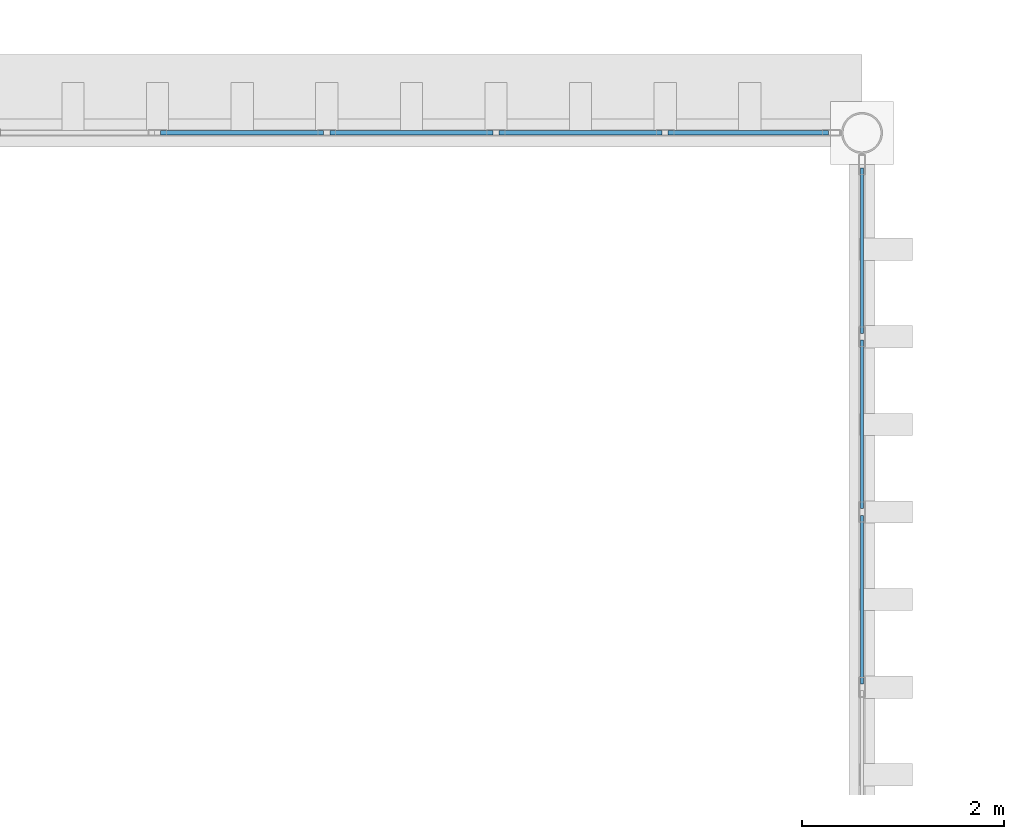
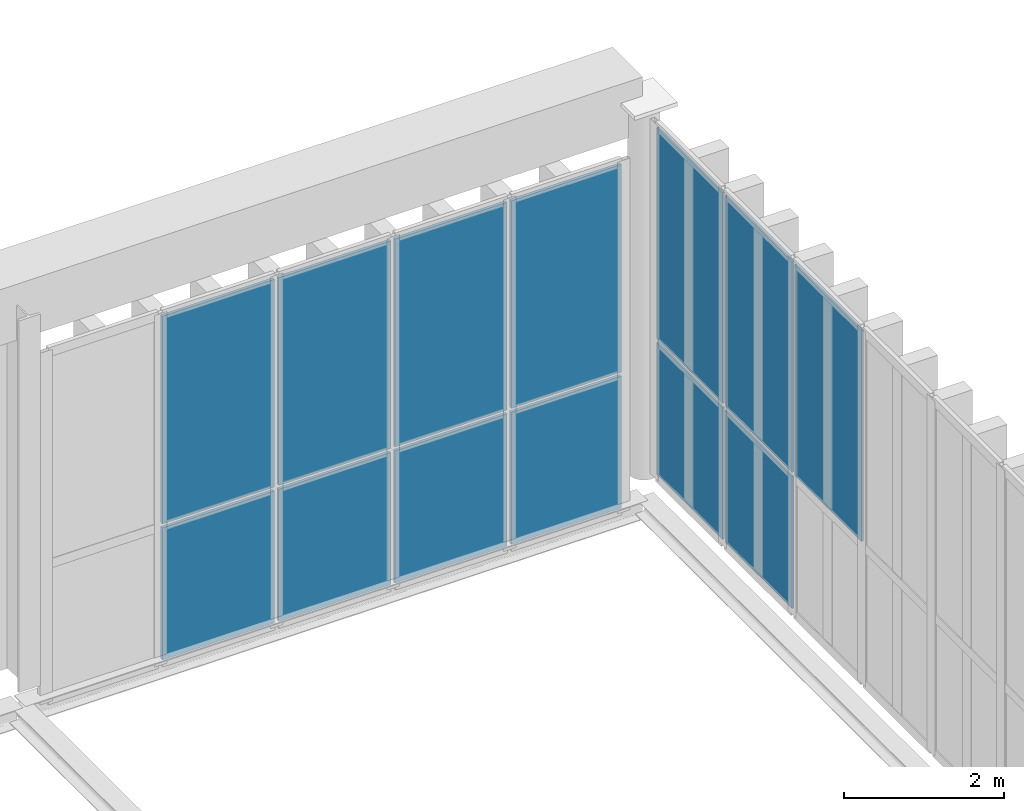
# One storey, part 198 of 237: 13 plates, 2 elements without a shape of their own.
"""IFC4 building model written with IfcOpenShell, lengths in metres."""

from ifc_helpers import new_model, si_unit, direction, frame, origin, origin_2d, place, context, subcontext, project, spatial, rectangle, extrude, material, layer, layer_set, type_object, element, aggregate, save


model = new_model("IFC4")

# Units and contexts
model_context = context("Model", 3, precision=1e-05, world=origin(), true_north=direction((0.0, 1.0)))
body_context = subcontext(model_context, "Body", "Model", "MODEL_VIEW")
ifc_project = project(units=[si_unit("LENGTHUNIT", "METRE"), si_unit("AREAUNIT", "SQUARE_METRE"), si_unit("VOLUMEUNIT", "CUBIC_METRE"), si_unit("PLANEANGLEUNIT", "RADIAN"), si_unit("MASSUNIT", "GRAM", prefix="KILO")], contexts=[model_context])

# Site, building, storey
site_placement = place(None, origin())
site = spatial("IfcSite", under=ifc_project, at=site_placement, CompositionType="ELEMENT")
building_placement = place(site_placement, origin())
building = spatial("IfcBuilding", under=site, at=building_placement, Name="Barlavento Convention Centre", CompositionType="ELEMENT")
storey_placement = place(building_placement, frame((0.0, 0.0, 12.0)))
storey = spatial("IfcBuildingStorey", under=building, at=storey_placement, Name="L02", CompositionType="ELEMENT", Elevation=12.0)

# Curtain wall, plates
ifc_material_1 = material(Name="Powder-coated aluminium and Low-E glass", Category="aluminium")
ifc_layer_1 = layer(ifc_material_1, 0.18505859375)
ifc_layer_set_1 = layer_set([ifc_layer_1], Name="ARC-CW-EXH-L02")
curtain_wall_type = type_object("IfcCurtainWallType", Name="ARC-CW-EXH-L02", PredefinedType="NOTDEFINED", material=ifc_layer_set_1)
curtain_wall_1_placement = place(storey_placement, origin())
curtain_wall_1 = element("IfcCurtainWall", 1, at=curtain_wall_1_placement, inside=storey, type_object=curtain_wall_type, Name="L02 unitised curtain wall CW05", PredefinedType="NOTDEFINED")
ifc_material_2 = material(Name="Double-silver Low-E insulated glass", Category="glass")
ifc_layer_2 = layer(ifc_material_2, 0.028076171875)
ifc_layer_set_2 = layer_set([ifc_layer_2], Name="ARC-CWP-GLZ28")
plate_type_1 = type_object("IfcPlateType", Name="ARC-CWP-GLZ28", PredefinedType="CURTAIN_PANEL", material=ifc_layer_set_2)
plate_1_placement = place(storey_placement, frame((126.0, 130.382568359375, 2.22998046875), z_axis=(0.0, 0.0, 1.0), x_axis=(0.0, 1.0, 0.0)))
plate_1 = element("IfcPlate", 2, at=plate_1_placement, type_object=plate_type_1, Name="CW05 panel 8.2", PredefinedType="CURTAIN_PANEL", context=body_context, shape_type="SweptSolid", body=[
    extrude(rectangle(XDim=1.668701171875, YDim=0.028076171875, at=origin_2d()), origin(), (0.0, 0.0, 1.0), 3.2099609375),
])
plate_2_placement = place(storey_placement, frame((126.0, 132.1162109375, 0.16015625), z_axis=(0.0, 0.0, 1.0), x_axis=(0.0, 1.0, 0.0)))
plate_2 = element("IfcPlate", 3, at=plate_2_placement, type_object=plate_type_1, Name="CW05 panel 9.1", PredefinedType="CURTAIN_PANEL", context=body_context, shape_type="SweptSolid", body=[
    extrude(rectangle(XDim=1.668701171875, YDim=0.028076171875, at=origin_2d()), origin(), (0.0, 0.0, 1.0), 2.010009765625),
])
plate_3_placement = place(storey_placement, frame((126.0, 132.1162109375, 2.22998046875), z_axis=(0.0, 0.0, 1.0), x_axis=(0.0, 1.0, 0.0)))
plate_3 = element("IfcPlate", 4, at=plate_3_placement, type_object=plate_type_1, Name="CW05 panel 9.2", PredefinedType="CURTAIN_PANEL", context=body_context, shape_type="SweptSolid", body=[
    extrude(rectangle(XDim=1.668701171875, YDim=0.028076171875, at=origin_2d()), origin(), (0.0, 0.0, 1.0), 3.2099609375),
])
plate_4_placement = place(storey_placement, frame((126.0, 133.833740234375, 0.16015625), z_axis=(0.0, 0.0, 1.0), x_axis=(0.0, 1.0, 0.0)))
plate_4 = element("IfcPlate", 5, at=plate_4_placement, type_object=plate_type_1, Name="CW05 panel 10.1", PredefinedType="CURTAIN_PANEL", context=body_context, shape_type="SweptSolid", body=[
    extrude(rectangle(XDim=1.63623046875, YDim=0.028076171875, at=origin_2d()), origin(), (0.0, 0.0, 1.0), 2.010009765625),
])
plate_5_placement = place(storey_placement, frame((126.0, 133.833740234375, 2.22998046875), z_axis=(0.0, 0.0, 1.0), x_axis=(0.0, 1.0, 0.0)))
plate_5 = element("IfcPlate", 6, at=plate_5_placement, type_object=plate_type_1, Name="CW05 panel 10.2", PredefinedType="CURTAIN_PANEL", context=body_context, shape_type="SweptSolid", body=[
    extrude(rectangle(XDim=1.63623046875, YDim=0.028076171875, at=origin_2d()), origin(), (0.0, 0.0, 1.0), 3.2099609375),
])
aggregate(curtain_wall_1, [plate_1, plate_2, plate_3, plate_4, plate_5])

curtain_wall_2_placement = place(storey_placement, origin())
curtain_wall_2 = element("IfcCurtainWall", 7, at=curtain_wall_2_placement, inside=storey, type_object=curtain_wall_type, Name="L02 unitised curtain wall CW05", PredefinedType="NOTDEFINED")
ifc_material_3 = material(Name="Glazed terracotta spandrel panel", Category="masonry")
ifc_layer_3 = layer(ifc_material_3, 0.044921875)
ifc_layer_set_3 = layer_set([ifc_layer_3], Name="ARC-CWP-TER45")
plate_type_2 = type_object("IfcPlateType", Name="ARC-CWP-TER45", PredefinedType="CURTAIN_PANEL", material=ifc_layer_set_3)
plate_6_placement = place(storey_placement, frame((119.8671875, 135.0, -0.43994140625), z_axis=(0.0, 0.0, 1.0), x_axis=(1.0, 0.0, 0.0)))
plate_6 = element("IfcPlate", 8, at=plate_6_placement, type_object=plate_type_2, Name="CW05 panel 2.1", PredefinedType="CURTAIN_PANEL", context=body_context, shape_type="SweptSolid", body=[
    extrude(rectangle(XDim=1.6142578125, YDim=0.044921875, at=origin_2d()), origin(), (0.0, 0.0, 1.0), 2.010009765625),
])
plate_7_placement = place(storey_placement, frame((119.8671875, 135.0, 1.6298828125), z_axis=(0.0, 0.0, 1.0), x_axis=(1.0, 0.0, 0.0)))
plate_7 = element("IfcPlate", 9, at=plate_7_placement, type_object=plate_type_2, Name="CW05 panel 2.2", PredefinedType="CURTAIN_PANEL", context=body_context, shape_type="SweptSolid", body=[
    extrude(rectangle(XDim=1.6142578125, YDim=0.044921875, at=origin_2d()), origin(), (0.0, 0.0, 1.0), 3.159912109375),
])
plate_8_placement = place(storey_placement, frame((121.54150390625, 135.0, -0.43994140625), z_axis=(0.0, 0.0, 1.0), x_axis=(1.0, 0.0, 0.0)))
plate_8 = element("IfcPlate", 10, at=plate_8_placement, type_object=plate_type_2, Name="CW05 panel 3.1", PredefinedType="CURTAIN_PANEL", context=body_context, shape_type="SweptSolid", body=[
    extrude(rectangle(XDim=1.6142578125, YDim=0.044921875, at=origin_2d()), origin(), (0.0, 0.0, 1.0), 2.010009765625),
])
plate_9_placement = place(storey_placement, frame((121.54150390625, 135.0, 1.6298828125), z_axis=(0.0, 0.0, 1.0), x_axis=(1.0, 0.0, 0.0)))
plate_9 = element("IfcPlate", 11, at=plate_9_placement, type_object=plate_type_2, Name="CW05 panel 3.2", PredefinedType="CURTAIN_PANEL", context=body_context, shape_type="SweptSolid", body=[
    extrude(rectangle(XDim=1.6142578125, YDim=0.044921875, at=origin_2d()), origin(), (0.0, 0.0, 1.0), 3.159912109375),
])
plate_10_placement = place(storey_placement, frame((123.215576171875, 135.0, -0.43994140625), z_axis=(0.0, 0.0, 1.0), x_axis=(1.0, 0.0, 0.0)))
plate_10 = element("IfcPlate", 12, at=plate_10_placement, type_object=plate_type_2, Name="CW05 panel 4.1", PredefinedType="CURTAIN_PANEL", context=body_context, shape_type="SweptSolid", body=[
    extrude(rectangle(XDim=1.6142578125, YDim=0.044921875, at=origin_2d()), origin(), (0.0, 0.0, 1.0), 2.010009765625),
])
plate_11_placement = place(storey_placement, frame((123.215576171875, 135.0, 1.6298828125), z_axis=(0.0, 0.0, 1.0), x_axis=(1.0, 0.0, 0.0)))
plate_11 = element("IfcPlate", 13, at=plate_11_placement, type_object=plate_type_2, Name="CW05 panel 4.2", PredefinedType="CURTAIN_PANEL", context=body_context, shape_type="SweptSolid", body=[
    extrude(rectangle(XDim=1.6142578125, YDim=0.044921875, at=origin_2d()), origin(), (0.0, 0.0, 1.0), 3.159912109375),
])
plate_12_placement = place(storey_placement, frame((124.874755859375, 135.0, -0.43994140625), z_axis=(0.0, 0.0, 1.0), x_axis=(1.0, 0.0, 0.0)))
plate_12 = element("IfcPlate", 14, at=plate_12_placement, type_object=plate_type_2, Name="CW05 panel 5.1", PredefinedType="CURTAIN_PANEL", context=body_context, shape_type="SweptSolid", body=[
    extrude(rectangle(XDim=1.584228515625, YDim=0.044921875, at=origin_2d()), origin(), (0.0, 0.0, 1.0), 2.010009765625),
])
plate_13_placement = place(storey_placement, frame((124.874755859375, 135.0, 1.6298828125), z_axis=(0.0, 0.0, 1.0), x_axis=(1.0, 0.0, 0.0)))
plate_13 = element("IfcPlate", 15, at=plate_13_placement, type_object=plate_type_2, Name="CW05 panel 5.2", PredefinedType="CURTAIN_PANEL", context=body_context, shape_type="SweptSolid", body=[
    extrude(rectangle(XDim=1.584228515625, YDim=0.044921875, at=origin_2d()), origin(), (0.0, 0.0, 1.0), 3.159912109375),
])
aggregate(curtain_wall_2, [plate_6, plate_7, plate_8, plate_9, plate_10, plate_11, plate_12, plate_13])

save(model, "model.ifc")
